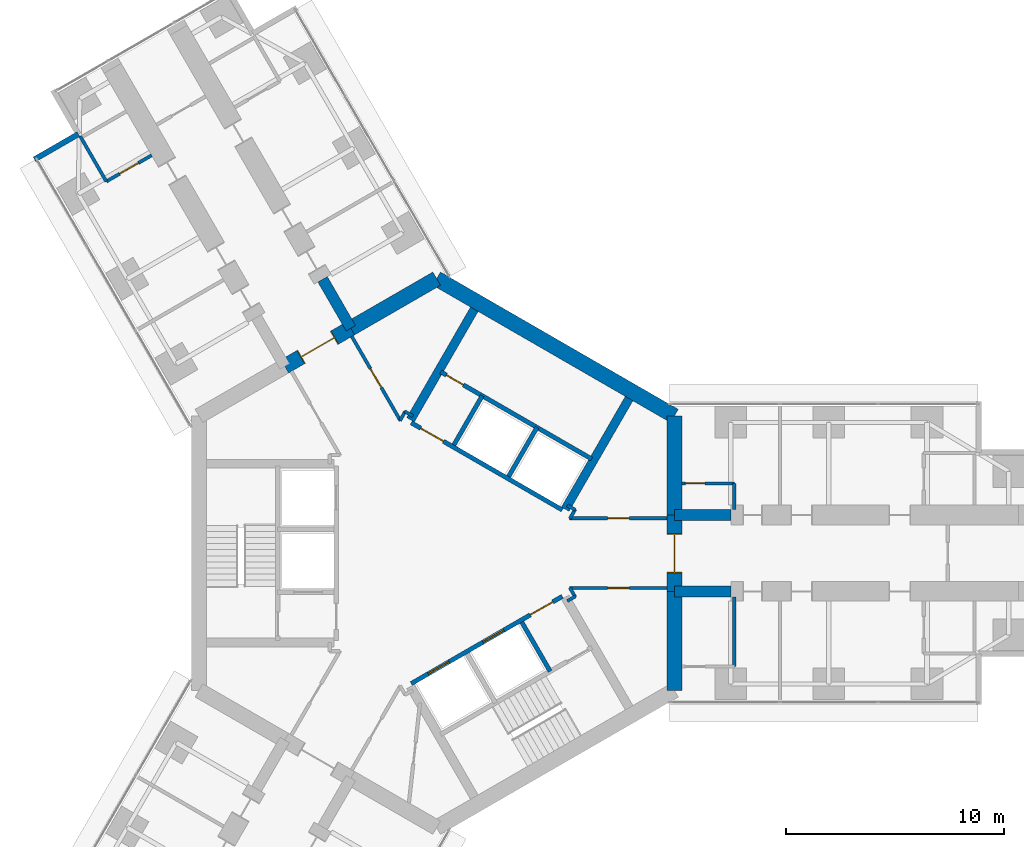
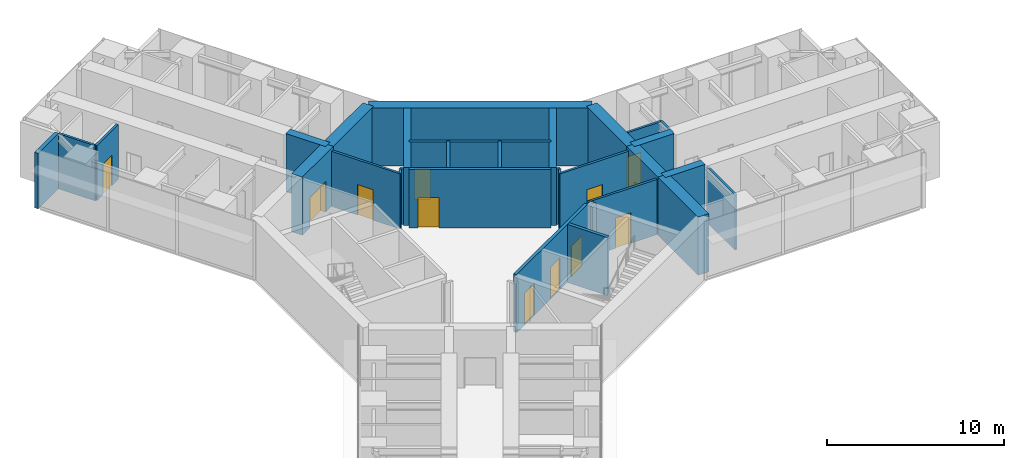
# One storey, part 18 of 24: 32 walls, 12 doors, 12 openings.
"""IFC4 building model written with IfcOpenShell, lengths in metres."""

from ifc_helpers import new_model, si_unit, direction, frame, frame_2d, origin, place, context, subcontext, project, spatial, rectangle, extrude, material, layer, layer_set, type_object, element, fill, save


model = new_model("IFC4")

# Units and contexts
model_context = context("Model", 3, precision=1e-05, world=origin(), true_north=direction((0.0, 1.0)))
body_context = subcontext(model_context, "Body", "Model", "MODEL_VIEW")
ifc_project = project(units=[si_unit("LENGTHUNIT", "METRE"), si_unit("AREAUNIT", "SQUARE_METRE"), si_unit("VOLUMEUNIT", "CUBIC_METRE"), si_unit("PLANEANGLEUNIT", "RADIAN"), si_unit("MASSUNIT", "GRAM", prefix="KILO")], contexts=[model_context])

# Site, building, storey
site_placement = place(None, origin())
site = spatial("IfcSite", under=ifc_project, at=site_placement, CompositionType="ELEMENT")
building_placement = place(site_placement, origin())
building = spatial("IfcBuilding", under=site, at=building_placement, Name="Upepo Twin Towers", CompositionType="ELEMENT")
storey_placement = place(building_placement, frame((0.0, 0.0, 48.5)))
storey = spatial("IfcBuildingStorey", under=building, at=storey_placement, Name="L11", CompositionType="ELEMENT", Elevation=48.5)

# Walls
ifc_material_1 = material(Name="Concrete C60/75", Category="concrete")
ifc_layer_1 = layer(ifc_material_1, 0.5)
ifc_layer_set_1 = layer_set([ifc_layer_1], Name="Concrete C60/75")
wall_type_1 = type_object("IfcWallType", Name="Buttress wall 500 RC", PredefinedType="SHEAR", material=ifc_layer_set_1)
for number, where, z_axis, x_axis, name in (
    (1, (10.908447265625, 1.75, 0.0), (0.0, 0.0, 1.0), (1.0, 0.0, 0.0), "T1 wing A buttress wall L"),
    (2, (10.908447265625, -1.75, 0.0), (0.0, 0.0, 1.0), (1.0, 0.0, 0.0), "T1 wing A buttress wall R"),
):
    element("IfcWall", number, at=place(storey_placement, frame(where, z_axis=z_axis, x_axis=x_axis)), inside=storey, type_object=wall_type_1, Name=name, PredefinedType="SHEAR", context=body_context, shape_type="SweptSolid", body=[
        extrude(rectangle(XDim=2.591552734375, YDim=0.5, at=frame_2d((1.2958984375, 0.0))), origin(), (0.0, 0.0, 1.0), 4.0),
    ])
wall_1_placement = place(storey_placement, frame((-3.938720703125, 10.32177734375, 0.0), z_axis=(0.0, 0.0, 1.0), x_axis=(-0.499918158782, 0.866072649678, 0.0)))
element("IfcWall", 3, at=wall_1_placement, inside=storey, type_object=wall_type_1, Name="T1 wing B buttress wall R", PredefinedType="SHEAR", context=body_context, shape_type="SweptSolid", body=[
    extrude(rectangle(XDim=2.591796875, YDim=0.5, at=frame_2d((1.2958984375, 0.0))), origin(), (0.0, 0.0, 1.0), 4.0),
])
ifc_material_2 = material(Name="Concrete C60/75", Category="concrete")
ifc_layer_2 = layer(ifc_material_2, 0.699951171875)
ifc_layer_set_2 = layer_set([ifc_layer_2], Name="Concrete C60/75")
wall_type_2 = type_object("IfcWallType", Name="Core wall 700 RC", PredefinedType="SHEAR", material=ifc_layer_set_2)
wall_2_placement = place(storey_placement, frame((10.908447265625, -6.2978515625, 0.0), z_axis=(0.0, 0.0, 1.0), x_axis=(0.0, 1.0, 0.0)))
element("IfcWall", 4, at=wall_2_placement, inside=storey, type_object=wall_type_2, Name="T1 core wall 000 R", PredefinedType="SHEAR", context=body_context, shape_type="SweptSolid", body=[
    extrude(rectangle(XDim=4.5478515625, YDim=0.699951171875, at=frame_2d((2.27392578125, 0.0))), origin(), (0.0, 0.0, 1.0), 4.0),
])

# Wall, opening, door
wall_3_placement = place(storey_placement, frame((10.908447265625, -1.75, 0.0), z_axis=(0.0, 0.0, 1.0), x_axis=(0.0, 1.0, 0.0)))
wall_3 = element("IfcWall", 5, at=wall_3_placement, inside=storey, type_object=wall_type_2, Name="T1 core wall 000", PredefinedType="SHEAR", context=body_context, shape_type="SweptSolid", body=[
    extrude(rectangle(XDim=3.5, YDim=0.699951171875, at=frame_2d((1.75, 0.0))), origin(), (0.0, 0.0, 1.0), 4.0),
])
opening_1_placement = place(wall_3_placement, frame((0.85009765625, 0.0, 0.0)))
opening_1 = element("IfcOpeningElement", 6, at=opening_1_placement, cuts=wall_3, Name="Opening D2", PredefinedType="OPENING", context=body_context, shape_type="SweptSolid", body=[
    extrude(rectangle(XDim=1.800048828125, YDim=2.10009765625, at=frame_2d((0.89990234375, 1.050048828125))), frame((0.0, 0.35986328125, 0.0), z_axis=(0.0, -1.0, 0.0), x_axis=(1.0, 0.0, 0.0)), (0.0, 0.0, 1.0), 0.719970703125),
])
ifc_material_3 = material(Name="Timber doorset", Category="wood")
door_type_1 = type_object("IfcDoorType", Name="Corridor double door 1800 FD60", OperationType="DOUBLE_DOOR_DOUBLE_SWING", PredefinedType="DOOR", material=ifc_material_3)
door_1_placement = place(opening_1_placement, origin())
door_1 = element("IfcDoor", 7, at=door_1_placement, inside=storey, type_object=door_type_1, Name="T1 L11 wing A corridor door", OperationType="DOUBLE_DOOR_DOUBLE_SWING", OverallHeight=2.10009765625, OverallWidth=1.800048828125, PredefinedType="DOOR", context=body_context, shape_type="SweptSolid", body=[
    extrude(rectangle(XDim=1.720048828125, YDim=2.06009765625, at=frame_2d((0.89990234375, 1.030029296875))), frame((0.0, 0.02490234375, 0.0), z_axis=(0.0, -1.0, 0.0), x_axis=(1.0, 0.0, 0.0)), (0.0, 0.0, 1.0), 0.050048828125),
    extrude(rectangle(XDim=0.04, YDim=2.10009765625, at=frame_2d((0.02001953125, 1.050048828125))), frame((0.0, 0.349609375, 0.0), z_axis=(0.0, -1.0, 0.0), x_axis=(1.0, 0.0, 0.0)), (0.0, 0.0, 1.0), 0.699462890625),
    extrude(rectangle(XDim=0.04, YDim=2.10009765625, at=frame_2d((1.780029296875, 1.050048828125))), frame((0.0, 0.349609375, 0.0), z_axis=(0.0, -1.0, 0.0), x_axis=(1.0, 0.0, 0.0)), (0.0, 0.0, 1.0), 0.699462890625),
    extrude(rectangle(XDim=1.720048828125, YDim=0.04, at=frame_2d((0.89990234375, 2.080078125))), frame((0.0, 0.349609375, 0.0), z_axis=(0.0, -1.0, 0.0), x_axis=(1.0, 0.0, 0.0)), (0.0, 0.0, 1.0), 0.699462890625),
])
fill(opening_1, door_1)

# Walls
wall_4_placement = place(storey_placement, frame((10.908447265625, 1.75, 0.0), z_axis=(0.0, 0.0, 1.0), x_axis=(0.0, 1.0, 0.0)))
element("IfcWall", 8, at=wall_4_placement, inside=storey, type_object=wall_type_2, Name="T1 core wall 000 L", PredefinedType="SHEAR", context=body_context, shape_type="SweptSolid", body=[
    extrude(rectangle(XDim=4.5478515625, YDim=0.699951171875, at=frame_2d((2.27392578125, 0.0))), origin(), (0.0, 0.0, 1.0), 4.0),
])
wall_5_placement = place(storey_placement, frame((10.908447265625, 6.2978515625, 0.0), z_axis=(0.0, 0.0, 1.0), x_axis=(-0.866021940709, 0.500005998175, 0.0)))
element("IfcWall", 9, at=wall_5_placement, inside=storey, type_object=wall_type_2, Name="T1 core wall 060", PredefinedType="SHEAR", context=body_context, shape_type="SweptSolid", body=[
    extrude(rectangle(XDim=12.595947265625, YDim=0.699951171875, at=frame_2d((6.2978515625, 0.0))), origin(), (0.0, 0.0, 1.0), 4.0),
])
wall_6_placement = place(storey_placement, frame((0.0, 12.595947265625, 0.0), z_axis=(0.0, 0.0, 1.0), x_axis=(-0.866011268655, -0.500024481964, 0.0)))
element("IfcWall", 10, at=wall_6_placement, inside=storey, type_object=wall_type_2, Name="T1 core wall 120 R", PredefinedType="SHEAR", context=body_context, shape_type="SweptSolid", body=[
    extrude(rectangle(XDim=4.548095703125, YDim=0.699951171875, at=frame_2d((2.27392578125, 0.0))), origin(), (0.0, 0.0, 1.0), 4.0),
])

# Wall, opening, door
wall_7_placement = place(storey_placement, frame((-3.938720703125, 10.32177734375, 0.0), z_axis=(0.0, 0.0, 1.0), x_axis=(-0.866019471182, -0.500010275428, 0.0)))
wall_7 = element("IfcWall", 11, at=wall_7_placement, inside=storey, type_object=wall_type_2, Name="T1 core wall 120", PredefinedType="SHEAR", context=body_context, shape_type="SweptSolid", body=[
    extrude(rectangle(XDim=3.5, YDim=0.699951171875, at=frame_2d((1.75, 0.0))), origin(), (0.0, 0.0, 1.0), 4.0),
])
opening_2_placement = place(wall_7_placement, frame((0.85009765625, 0.0, 0.0)))
opening_2 = element("IfcOpeningElement", 12, at=opening_2_placement, cuts=wall_7, Name="Opening D2", PredefinedType="OPENING", context=body_context, shape_type="SweptSolid", body=[
    extrude(rectangle(XDim=1.800048828125, YDim=2.10009765625, at=frame_2d((0.89990234375, 1.050048828125))), frame((0.0, 0.35986328125, 0.0), z_axis=(0.0, -1.0, 0.0), x_axis=(1.0, 0.0, 0.0)), (0.0, 0.0, 1.0), 0.719970703125),
])
door_2_placement = place(opening_2_placement, origin())
door_2 = element("IfcDoor", 13, at=door_2_placement, inside=storey, type_object=door_type_1, Name="T1 L11 wing B corridor door", OperationType="DOUBLE_DOOR_DOUBLE_SWING", OverallHeight=2.10009765625, OverallWidth=1.800048828125, PredefinedType="DOOR", context=body_context, shape_type="SweptSolid", body=[
    extrude(rectangle(XDim=1.720048828125, YDim=2.06009765625, at=frame_2d((0.89990234375, 1.030029296875))), frame((0.0, 0.02490234375, 0.0), z_axis=(0.0, -1.0, 0.0), x_axis=(1.0, 0.0, 0.0)), (0.0, 0.0, 1.0), 0.050048828125),
    extrude(rectangle(XDim=0.04, YDim=2.10009765625, at=frame_2d((0.02001953125, 1.050048828125))), frame((0.0, 0.349609375, 0.0), z_axis=(0.0, -1.0, 0.0), x_axis=(1.0, 0.0, 0.0)), (0.0, 0.0, 1.0), 0.699462890625),
    extrude(rectangle(XDim=0.04, YDim=2.10009765625, at=frame_2d((1.780029296875, 1.050048828125))), frame((0.0, 0.349609375, 0.0), z_axis=(0.0, -1.0, 0.0), x_axis=(1.0, 0.0, 0.0)), (0.0, 0.0, 1.0), 0.699462890625),
    extrude(rectangle(XDim=1.720048828125, YDim=0.04, at=frame_2d((0.89990234375, 2.080078125))), frame((0.0, 0.349609375, 0.0), z_axis=(0.0, -1.0, 0.0), x_axis=(1.0, 0.0, 0.0)), (0.0, 0.0, 1.0), 0.699462890625),
])
fill(opening_2, door_2)

# Wall
ifc_material_4 = material(Name="Blockwork with anodised aluminium cladding", Category="masonry")
ifc_layer_3 = layer(ifc_material_4, 0.25)
ifc_layer_set_3 = layer_set([ifc_layer_3], Name="Notch cladding wall 250, pale metal")
wall_type_3 = type_object("IfcWallType", Name="Notch cladding wall 250, pale metal", PredefinedType="STANDARD", material=ifc_layer_set_3)
wall_8_placement = place(storey_placement, frame((-18.456298828125, 18.0673828125, 0.0), z_axis=(0.0, 0.0, 1.0), x_axis=(0.865998469481, 0.500046648681, 0.0)))
element("IfcWall", 14, at=wall_8_placement, inside=storey, type_object=wall_type_3, Name="T1 L11 wing B notch wall L1", PredefinedType="STANDARD", context=body_context, shape_type="SweptSolid", body=[
    extrude(rectangle(XDim=2.324951171875, YDim=0.25, at=frame_2d((1.16259765625, 0.0))), origin(), (0.0, 0.0, 1.0), 3.800048828125),
])

# Wall, opening, door
ifc_material_5 = material(Name="Concrete C40/50", Category="concrete")
ifc_layer_4 = layer(ifc_material_5, 0.199951171875)
ifc_layer_set_4 = layer_set([ifc_layer_4], Name="Concrete C40/50")
wall_type_4 = type_object("IfcWallType", Name="Shaft wall 200 RC", PredefinedType="SHEAR", material=ifc_layer_set_4)
wall_9_placement = place(storey_placement, frame((5.76416015625, 1.983642578125, 0.0), z_axis=(0.0, 0.0, 1.0), x_axis=(-0.866026010844, 0.49999894854, 0.0)))
wall_9 = element("IfcWall", 15, at=wall_9_placement, inside=storey, type_object=wall_type_4, Name="T1 core W60 front wall", PredefinedType="SHEAR", context=body_context, shape_type="SweptSolid", body=[
    extrude(rectangle(XDim=8.0, YDim=0.199951171875, at=frame_2d((4.0, 0.0))), origin(), (0.0, 0.0, 1.0), 4.0),
])
opening_3_placement = place(wall_9_placement, frame((6.300048828125, 0.0, 0.0)))
opening_3 = element("IfcOpeningElement", 16, at=opening_3_placement, cuts=wall_9, Name="Opening D4", PredefinedType="OPENING", context=body_context, shape_type="SweptSolid", body=[
    extrude(rectangle(XDim=1.199951171875, YDim=2.10009765625, at=frame_2d((0.60009765625, 1.050048828125))), frame((0.0, 0.10986328125, 0.0), z_axis=(0.0, -1.0, 0.0), x_axis=(1.0, 0.0, 0.0)), (0.0, 0.0, 1.0), 0.219970703125),
])
ifc_material_6 = material(Name="Timber doorset", Category="wood")
door_type_2 = type_object("IfcDoorType", Name="Lobby door 1200 FD60", OperationType="SINGLE_SWING_LEFT", PredefinedType="DOOR", material=ifc_material_6)
door_3_placement = place(opening_3_placement, origin())
door_3 = element("IfcDoor", 17, at=door_3_placement, inside=storey, type_object=door_type_2, Name="T1 L11 W60 lobby door", OperationType="SINGLE_SWING_RIGHT", OverallHeight=2.10009765625, OverallWidth=1.199951171875, PredefinedType="DOOR", context=body_context, shape_type="SweptSolid", body=[
    extrude(rectangle(XDim=1.199951171875, YDim=2.10009765625, at=frame_2d((0.60009765625, 1.050048828125))), frame((0.0, 0.02490234375, 0.0), z_axis=(0.0, -1.0, 0.0), x_axis=(1.0, 0.0, 0.0)), (0.0, 0.0, 1.0), 0.050048828125),
])
fill(opening_3, door_3)

# Walls
for number, where, z_axis, x_axis, name in (
    (18, (3.302734375, 3.520263671875, 0.0), (0.0, 0.0, 1.0), (0.499936506574, 0.866062058628, 0.0), "T1 core W60 shaft divider"),
    (19, (0.791259765625, 4.97021484375, 0.0), (0.0, 0.0, 1.0), (0.499936506574, 0.866062058628, 0.0), "T1 core W60 lobby wall"),
):
    element("IfcWall", number, at=place(storey_placement, frame(where, z_axis=z_axis, x_axis=x_axis)), inside=storey, type_object=wall_type_4, Name=name, PredefinedType="SHEAR", context=body_context, shape_type="SweptSolid", body=[
        extrude(rectangle(XDim=2.599853515625, YDim=0.199951171875, at=frame_2d((1.2998046875, 0.0))), origin(), (0.0, 0.0, 1.0), 4.0),
    ])

# Wall, opening, door
wall_10_placement = place(storey_placement, frame((7.114013671875, 4.322021484375, 0.0), z_axis=(0.0, 0.0, 1.0), x_axis=(-0.866026010844, 0.49999894854, 0.0)))
wall_10 = element("IfcWall", 20, at=wall_10_placement, inside=storey, type_object=wall_type_4, Name="T1 core W60 stair wall", PredefinedType="SHEAR", context=body_context, shape_type="SweptSolid", body=[
    extrude(rectangle(XDim=8.0, YDim=0.199951171875, at=frame_2d((4.0, 0.0))), origin(), (0.0, 0.0, 1.0), 4.0),
])
opening_4_placement = place(wall_10_placement, frame((6.800048828125, 0.0, 0.0)))
opening_4 = element("IfcOpeningElement", 21, at=opening_4_placement, cuts=wall_10, Name="Opening D9", PredefinedType="OPENING", context=body_context, shape_type="SweptSolid", body=[
    extrude(rectangle(XDim=0.89990234375, YDim=2.10009765625, at=frame_2d((0.449951171875, 1.050048828125))), frame((0.0, 0.10986328125, 0.0), z_axis=(0.0, -1.0, 0.0), x_axis=(1.0, 0.0, 0.0)), (0.0, 0.0, 1.0), 0.219970703125),
])
ifc_material_7 = material(Name="Timber doorset", Category="wood")
door_type_3 = type_object("IfcDoorType", Name="Riser door 900 FD60", OperationType="SINGLE_SWING_LEFT", PredefinedType="DOOR", material=ifc_material_7)
door_4_placement = place(opening_4_placement, origin())
door_4 = element("IfcDoor", 22, at=door_4_placement, inside=storey, type_object=door_type_3, Name="T1 L11 riser door", OperationType="SINGLE_SWING_RIGHT", OverallHeight=2.10009765625, OverallWidth=0.89990234375, PredefinedType="DOOR", context=body_context, shape_type="SweptSolid", body=[
    extrude(rectangle(XDim=0.89990234375, YDim=2.10009765625, at=frame_2d((0.449951171875, 1.050048828125))), frame((0.0, 0.02490234375, 0.0), z_axis=(0.0, -1.0, 0.0), x_axis=(1.0, 0.0, 0.0)), (0.0, 0.0, 1.0), 0.050048828125),
])
fill(opening_4, door_4)

# Wall, openings, doors
wall_11_placement = place(storey_placement, frame((-1.1640625, -5.983642578125, 0.0), z_axis=(0.0, 0.0, 1.0), x_axis=(0.866026010844, 0.49999894854, 0.0)))
wall_11 = element("IfcWall", 23, at=wall_11_placement, inside=storey, type_object=wall_type_4, Name="T1 core W300 front wall", PredefinedType="SHEAR", context=body_context, shape_type="SweptSolid", body=[
    extrude(rectangle(XDim=8.0, YDim=0.199951171875, at=frame_2d((4.0, 0.0))), origin(), (0.0, 0.0, 1.0), 4.0),
])
opening_5_placement = place(wall_11_placement, frame((6.300048828125, 0.0, 0.0)))
opening_5 = element("IfcOpeningElement", 24, at=opening_5_placement, cuts=wall_11, Name="Opening D4", PredefinedType="OPENING", context=body_context, shape_type="SweptSolid", body=[
    extrude(rectangle(XDim=1.199951171875, YDim=2.10009765625, at=frame_2d((0.60009765625, 1.050048828125))), frame((0.0, 0.10986328125, 0.0), z_axis=(0.0, -1.0, 0.0), x_axis=(1.0, 0.0, 0.0)), (0.0, 0.0, 1.0), 0.219970703125),
])
opening_6_placement = place(wall_11_placement, frame((0.89990234375, 0.0, 0.0)))
opening_6 = element("IfcOpeningElement", 25, at=opening_6_placement, cuts=wall_11, Name="Opening LD1", PredefinedType="OPENING", context=body_context, shape_type="SweptSolid", body=[
    extrude(rectangle(XDim=1.10009765625, YDim=2.199951171875, at=frame_2d((0.550048828125, 1.10009765625))), frame((0.0, 0.10986328125, 0.0), z_axis=(0.0, -1.0, 0.0), x_axis=(1.0, 0.0, 0.0)), (0.0, 0.0, 1.0), 0.219970703125),
])
opening_7_placement = place(wall_11_placement, frame((3.800048828125, 0.0, 0.0)))
opening_7 = element("IfcOpeningElement", 26, at=opening_7_placement, cuts=wall_11, Name="Opening LD1", PredefinedType="OPENING", context=body_context, shape_type="SweptSolid", body=[
    extrude(rectangle(XDim=1.10009765625, YDim=2.199951171875, at=frame_2d((0.550048828125, 1.10009765625))), frame((0.0, 0.10986328125, 0.0), z_axis=(0.0, -1.0, 0.0), x_axis=(1.0, 0.0, 0.0)), (0.0, 0.0, 1.0), 0.219970703125),
])
ifc_material_8 = material(Name="Steel doorset", Category="steel")
door_type_4 = type_object("IfcDoorType", Name="Lift landing door 1100", OperationType="DOUBLE_DOOR_SLIDING", PredefinedType="DOOR", material=ifc_material_8)
door_5_placement = place(opening_6_placement, origin())
door_5 = element("IfcDoor", 27, at=door_5_placement, inside=storey, type_object=door_type_4, Name="T1 L11 lift LL1 landing door", OperationType="DOUBLE_DOOR_SLIDING", OverallHeight=2.199951171875, OverallWidth=1.10009765625, PredefinedType="DOOR", context=body_context, shape_type="SweptSolid", body=[
    extrude(rectangle(XDim=1.10009765625, YDim=2.199951171875, at=frame_2d((0.550048828125, 1.10009765625))), frame((0.0, 0.02490234375, 0.0), z_axis=(0.0, -1.0, 0.0), x_axis=(1.0, 0.0, 0.0)), (0.0, 0.0, 1.0), 0.050048828125),
])
fill(opening_6, door_5)
door_6_placement = place(opening_7_placement, origin())
door_6 = element("IfcDoor", 28, at=door_6_placement, inside=storey, type_object=door_type_4, Name="T1 L11 lift LL2 landing door", OperationType="DOUBLE_DOOR_SLIDING", OverallHeight=2.199951171875, OverallWidth=1.10009765625, PredefinedType="DOOR", context=body_context, shape_type="SweptSolid", body=[
    extrude(rectangle(XDim=1.10009765625, YDim=2.199951171875, at=frame_2d((0.550048828125, 1.10009765625))), frame((0.0, 0.02490234375, 0.0), z_axis=(0.0, -1.0, 0.0), x_axis=(1.0, 0.0, 0.0)), (0.0, 0.0, 1.0), 0.050048828125),
])
fill(opening_7, door_6)
door_7_placement = place(opening_5_placement, origin())
door_7 = element("IfcDoor", 29, at=door_7_placement, inside=storey, type_object=door_type_2, Name="T1 L11 W300 lobby door", OperationType="SINGLE_SWING_RIGHT", OverallHeight=2.10009765625, OverallWidth=1.199951171875, PredefinedType="DOOR", context=body_context, shape_type="SweptSolid", body=[
    extrude(rectangle(XDim=1.199951171875, YDim=2.10009765625, at=frame_2d((0.60009765625, 1.050048828125))), frame((0.0, 0.02490234375, 0.0), z_axis=(0.0, -1.0, 0.0), x_axis=(1.0, 0.0, 0.0)), (0.0, 0.0, 1.0), 0.050048828125),
])
fill(opening_5, door_7)

# Walls
wall_12_placement = place(storey_placement, frame((3.908935546875, -3.17041015625, 0.0), z_axis=(0.0, 0.0, 1.0), x_axis=(0.49997716683, -0.86603858612, 0.0)))
element("IfcWall", 30, at=wall_12_placement, inside=storey, type_object=wall_type_4, Name="T1 core W300 lobby wall", PredefinedType="SHEAR", context=body_context, shape_type="SweptSolid", body=[
    extrude(rectangle(XDim=2.599609375, YDim=0.199951171875, at=frame_2d((1.2998046875, 0.0))), origin(), (0.0, 0.0, 1.0), 4.0),
])
ifc_material_9 = material(Name="Concrete C40/50", Category="concrete")
ifc_layer_5 = layer(ifc_material_9, 0.39990234375)
ifc_layer_set_5 = layer_set([ifc_layer_5], Name="Concrete C40/50")
wall_type_5 = type_object("IfcWallType", Name="Shaft wall 400 RC", PredefinedType="SHEAR", material=ifc_layer_set_5)
for number, where, z_axis, x_axis, name in (
    (31, (-1.20068359375, 6.120361328125, 0.0), (0.0, 0.0, 1.0), (0.500002627198, 0.866023886965, 0.0), "T1 core W60 side wall N"),
    (32, (5.900634765625, 2.020263671875, 0.0), (0.0, 0.0, 1.0), (0.500002627198, 0.866023886965, 0.0), "T1 core W60 side wall S"),
):
    element("IfcWall", number, at=place(storey_placement, frame(where, z_axis=z_axis, x_axis=x_axis)), inside=storey, type_object=wall_type_5, Name=name, PredefinedType="SHEAR", context=body_context, shape_type="SweptSolid", body=[
        extrude(rectangle(XDim=5.8583984375, YDim=0.39990234375, at=frame_2d((2.92919921875, 0.0))), origin(), (0.0, 0.0, 1.0), 4.0),
    ])

# Wall, opening, door
ifc_material_10 = material(Name="Gypsum board on steel studs", Category="steel")
ifc_layer_6 = layer(ifc_material_10, 0.14990234375)
ifc_layer_set_6 = layer_set([ifc_layer_6], Name="Teaching partition 150 acoustic")
wall_type_6 = type_object("IfcWallType", Name="Teaching partition 150 acoustic", PredefinedType="PARTITIONING", material=ifc_layer_set_6)
wall_13_placement = place(storey_placement, frame((11.258056640625, 3.199951171875, 0.0), z_axis=(0.0, 0.0, 1.0), x_axis=(1.0, 0.0, 0.0)))
wall_13 = element("IfcWall", 33, at=wall_13_placement, inside=storey, type_object=wall_type_6, Name="T1 WC bay partition AL at 11.26", PredefinedType="PARTITIONING", context=body_context, shape_type="SweptSolid", body=[
    extrude(rectangle(XDim=2.39990234375, YDim=0.14990234375, at=frame_2d((1.199951171875, 0.0))), origin(), (0.0, 0.0, 1.0), 3.800048828125),
])
opening_8_placement = place(wall_13_placement, frame((0.14990234375, 0.0, 0.0)))
opening_8 = element("IfcOpeningElement", 34, at=opening_8_placement, cuts=wall_13, Name="Opening D14", PredefinedType="OPENING", context=body_context, shape_type="SweptSolid", body=[
    extrude(rectangle(XDim=0.89990234375, YDim=2.10009765625, at=frame_2d((0.449951171875, 1.050048828125))), frame((0.0, 0.0849609375, 0.0), z_axis=(0.0, -1.0, 0.0), x_axis=(1.0, 0.0, 0.0)), (0.0, 0.0, 1.0), 0.169921875),
])
ifc_material_11 = material(Name="Timber doorset", Category="wood")
door_type_5 = type_object("IfcDoorType", Name="Office door 900 FD30", OperationType="SINGLE_SWING_LEFT", PredefinedType="DOOR", material=ifc_material_11)
door_8_placement = place(opening_8_placement, origin())
door_8 = element("IfcDoor", 35, at=door_8_placement, inside=storey, type_object=door_type_5, Name="T1 L11 WC bay inner room door", OperationType="SINGLE_SWING_LEFT", OverallHeight=2.10009765625, OverallWidth=0.89990234375, PredefinedType="DOOR", context=body_context, shape_type="SweptSolid", body=[
    extrude(rectangle(XDim=0.89990234375, YDim=2.10009765625, at=frame_2d((0.449951171875, 1.050048828125))), frame((0.0, 0.02490234375, 0.0), z_axis=(0.0, -1.0, 0.0), x_axis=(1.0, 0.0, 0.0)), (0.0, 0.0, 1.0), 0.050048828125),
])
fill(opening_8, door_8)

# Walls
wall_14_placement = place(storey_placement, frame((13.657958984375, 2.0, 0.0), z_axis=(0.0, 0.0, 1.0), x_axis=(0.0, 1.0, 0.0)))
element("IfcWall", 36, at=wall_14_placement, inside=storey, type_object=wall_type_6, Name="T1 WC bay partition AL end at 13.66", PredefinedType="PARTITIONING", context=body_context, shape_type="SweptSolid", body=[
    extrude(rectangle(XDim=1.199951171875, YDim=0.14990234375, at=frame_2d((0.60009765625, 0.0))), origin(), (0.0, 0.0, 1.0), 3.800048828125),
])
wall_15_placement = place(storey_placement, frame((13.657958984375, -2.0, 0.0), z_axis=(0.0, 0.0, 1.0), x_axis=(0.0, -1.0, 0.0)))
element("IfcWall", 37, at=wall_15_placement, inside=storey, type_object=wall_type_6, Name="T1 WC bay partition AR end at 13.66", PredefinedType="PARTITIONING", context=body_context, shape_type="SweptSolid", body=[
    extrude(rectangle(XDim=3.199951171875, YDim=0.14990234375, at=frame_2d((1.60009765625, 0.0))), origin(), (0.0, 0.0, 1.0), 3.800048828125),
])
wall_16_placement = place(storey_placement, frame((-15.15869140625, 17.0556640625, 0.0), z_axis=(0.0, 0.0, 1.0), x_axis=(-0.500001309137, 0.866024647952, 0.0)))
element("IfcWall", 38, at=wall_16_placement, inside=storey, type_object=wall_type_6, Name="T1 inner room partition BL at 22.35", PredefinedType="PARTITIONING", context=body_context, shape_type="SweptSolid", body=[
    extrude(rectangle(XDim=2.39990234375, YDim=0.14990234375, at=frame_2d((1.199951171875, 0.0))), origin(), (0.0, 0.0, 1.0), 3.800048828125),
])

# Wall, opening, door
wall_17_placement = place(storey_placement, frame((-13.080322265625, 18.255615234375, 0.0), z_axis=(0.0, 0.0, 1.0), x_axis=(-0.866024647952, -0.500001309137, 0.0)))
wall_17 = element("IfcWall", 39, at=wall_17_placement, inside=storey, type_object=wall_type_6, Name="T1 inner room partition BL end at 22.35", PredefinedType="PARTITIONING", context=body_context, shape_type="SweptSolid", body=[
    extrude(rectangle(XDim=2.39990234375, YDim=0.14990234375, at=frame_2d((1.199951171875, 0.0))), origin(), (0.0, 0.0, 1.0), 3.800048828125),
])
opening_9_placement = place(wall_17_placement, frame((0.699951171875, 0.0, 0.0)))
opening_9 = element("IfcOpeningElement", 40, at=opening_9_placement, cuts=wall_17, Name="Opening D1", PredefinedType="OPENING", context=body_context, shape_type="SweptSolid", body=[
    extrude(rectangle(XDim=1.0, YDim=2.10009765625, at=frame_2d((0.5, 1.050048828125))), frame((0.0, 0.0849609375, 0.0), z_axis=(0.0, -1.0, 0.0), x_axis=(1.0, 0.0, 0.0)), (0.0, 0.0, 1.0), 0.169921875),
])
ifc_material_12 = material(Name="Timber doorset", Category="wood")
door_type_6 = type_object("IfcDoorType", Name="Room door 1000 FD30", OperationType="SINGLE_SWING_LEFT", PredefinedType="DOOR", material=ifc_material_12)
door_9_placement = place(opening_9_placement, origin())
door_9 = element("IfcDoor", 41, at=door_9_placement, inside=storey, type_object=door_type_6, Name="T1 L11 inner room door", OperationType="SINGLE_SWING_LEFT", OverallHeight=2.10009765625, OverallWidth=1.0, PredefinedType="DOOR", context=body_context, shape_type="SweptSolid", body=[
    extrude(rectangle(XDim=1.0, YDim=2.10009765625, at=frame_2d((0.5, 1.050048828125))), frame((0.0, 0.02490234375, 0.0), z_axis=(0.0, -1.0, 0.0), x_axis=(1.0, 0.0, 0.0)), (0.0, 0.0, 1.0), 0.050048828125),
])
fill(opening_9, door_9)

# Wall
wall_18_placement = place(storey_placement, frame((6.364501953125, -1.9833984375, 0.0), z_axis=(0.0, 0.0, 1.0), x_axis=(-0.865892400268, -0.500230298122, 0.0)))
element("IfcWall", 42, at=wall_18_placement, inside=storey, type_object=wall_type_6, Name="T1 core room partition 1", PredefinedType="PARTITIONING", context=body_context, shape_type="SweptSolid", body=[
    extrude(rectangle(XDim=0.429931640625, YDim=0.14990234375, at=frame_2d((0.21484375, 0.0))), origin(), (0.0, 0.0, 1.0), 3.800048828125),
])

# Wall, opening, door
wall_19_placement = place(storey_placement, frame((-3.8984375, 9.952392578125, 0.0), z_axis=(0.0, 0.0, 1.0), x_axis=(0.499999927604, -0.866025445582, 0.0)))
wall_19 = element("IfcWall", 43, at=wall_19_placement, inside=storey, type_object=wall_type_6, Name="T1 core room partition 11", PredefinedType="PARTITIONING", context=body_context, shape_type="SweptSolid", body=[
    extrude(rectangle(XDim=4.46826171875, YDim=0.14990234375, at=frame_2d((2.234130859375, 0.0))), origin(), (0.0, 0.0, 1.0), 3.800048828125),
])
opening_10_placement = place(wall_19_placement, frame((1.72412109375, 0.0, 0.0)))
opening_10 = element("IfcOpeningElement", 44, at=opening_10_placement, cuts=wall_19, Name="Opening D1", PredefinedType="OPENING", context=body_context, shape_type="SweptSolid", body=[
    extrude(rectangle(XDim=1.0, YDim=2.10009765625, at=frame_2d((0.5, 1.050048828125))), frame((0.0, 0.0849609375, 0.0), z_axis=(0.0, -1.0, 0.0), x_axis=(1.0, 0.0, 0.0)), (0.0, 0.0, 1.0), 0.169921875),
])
door_10_placement = place(opening_10_placement, origin())
door_10 = element("IfcDoor", 45, at=door_10_placement, inside=storey, type_object=door_type_6, Name="T1 L11 core room door K6", OperationType="SINGLE_SWING_LEFT", OverallHeight=2.10009765625, OverallWidth=1.0, PredefinedType="DOOR", context=body_context, shape_type="SweptSolid", body=[
    extrude(rectangle(XDim=1.0, YDim=2.10009765625, at=frame_2d((0.5, 1.050048828125))), frame((0.0, 0.02490234375, 0.0), z_axis=(0.0, -1.0, 0.0), x_axis=(1.0, 0.0, 0.0)), (0.0, 0.0, 1.0), 0.050048828125),
])
fill(opening_10, door_10)

# Walls
wall_20_placement = place(storey_placement, frame((-1.684326171875, 6.082763671875, 0.0), z_axis=(0.0, 0.0, 1.0), x_axis=(0.50033519877, 0.865831790172, 0.0)))
element("IfcWall", 46, at=wall_20_placement, inside=storey, type_object=wall_type_6, Name="T1 core room partition 12", PredefinedType="PARTITIONING", context=body_context, shape_type="SweptSolid", body=[
    extrude(rectangle(XDim=0.494384765625, YDim=0.14990234375, at=frame_2d((0.2470703125, 0.0))), origin(), (0.0, 0.0, 1.0), 3.800048828125),
])
for number, where, z_axis, x_axis, name in (
    (47, (-1.46435546875, 6.50341796875, 0.0), (0.0, 0.0, 1.0), (0.866138304741, -0.499804398801, 0.0), "T1 core room partition 13"),
    (48, (5.9921875, 2.198486328125, 0.0), (0.0, 0.0, 1.0), (0.865892400268, -0.500230298122, 0.0), "T1 core room partition 14"),
):
    element("IfcWall", number, at=place(storey_placement, frame(where, z_axis=z_axis, x_axis=x_axis)), inside=storey, type_object=wall_type_6, Name=name, PredefinedType="PARTITIONING", context=body_context, shape_type="SweptSolid", body=[
        extrude(rectangle(XDim=0.429931640625, YDim=0.14990234375, at=frame_2d((0.21484375, 0.0))), origin(), (0.0, 0.0, 1.0), 3.800048828125),
    ])
wall_21_placement = place(storey_placement, frame((6.357177734375, 2.0107421875, 0.0), z_axis=(0.0, 0.0, 1.0), x_axis=(-0.50033519877, -0.865831790172, 0.0)))
element("IfcWall", 49, at=wall_21_placement, inside=storey, type_object=wall_type_6, Name="T1 core room partition 15", PredefinedType="PARTITIONING", context=body_context, shape_type="SweptSolid", body=[
    extrude(rectangle(XDim=0.494384765625, YDim=0.14990234375, at=frame_2d((0.2470703125, 0.0))), origin(), (0.0, 0.0, 1.0), 3.800048828125),
])

# Wall, opening, door
wall_22_placement = place(storey_placement, frame((6.099853515625, 1.60009765625, 0.0), z_axis=(0.0, 0.0, 1.0), x_axis=(1.0, 0.0, 0.0)))
wall_22 = element("IfcWall", 50, at=wall_22_placement, inside=storey, type_object=wall_type_6, Name="T1 core room partition 16", PredefinedType="PARTITIONING", context=body_context, shape_type="SweptSolid", body=[
    extrude(rectangle(XDim=4.468505859375, YDim=0.14990234375, at=frame_2d((2.234375, 0.0))), origin(), (0.0, 0.0, 1.0), 3.800048828125),
])
opening_11_placement = place(wall_22_placement, frame((1.744384765625, 0.0, 0.0)))
opening_11 = element("IfcOpeningElement", 51, at=opening_11_placement, cuts=wall_22, Name="Opening D1", PredefinedType="OPENING", context=body_context, shape_type="SweptSolid", body=[
    extrude(rectangle(XDim=1.0, YDim=2.10009765625, at=frame_2d((0.5, 1.050048828125))), frame((0.0, 0.0849609375, 0.0), z_axis=(0.0, -1.0, 0.0), x_axis=(1.0, 0.0, 0.0)), (0.0, 0.0, 1.0), 0.169921875),
])
door_11_placement = place(opening_11_placement, origin())
door_11 = element("IfcDoor", 52, at=door_11_placement, inside=storey, type_object=door_type_6, Name="T1 L11 core room door K5", OperationType="SINGLE_SWING_RIGHT", OverallHeight=2.10009765625, OverallWidth=1.0, PredefinedType="DOOR", context=body_context, shape_type="SweptSolid", body=[
    extrude(rectangle(XDim=1.0, YDim=2.10009765625, at=frame_2d((0.5, 1.050048828125))), frame((0.0, 0.02490234375, 0.0), z_axis=(0.0, -1.0, 0.0), x_axis=(1.0, 0.0, 0.0)), (0.0, 0.0, 1.0), 0.050048828125),
])
fill(opening_11, door_11)

wall_23_placement = place(storey_placement, frame((10.568359375, -1.60009765625, 0.0), z_axis=(0.0, 0.0, 1.0), x_axis=(-1.0, 0.0, 0.0)))
wall_23 = element("IfcWall", 53, at=wall_23_placement, inside=storey, type_object=wall_type_6, Name="T1 core room partition 17", PredefinedType="PARTITIONING", context=body_context, shape_type="SweptSolid", body=[
    extrude(rectangle(XDim=4.468505859375, YDim=0.14990234375, at=frame_2d((2.234375, 0.0))), origin(), (0.0, 0.0, 1.0), 3.800048828125),
])
opening_12_placement = place(wall_23_placement, frame((1.72412109375, 0.0, 0.0)))
opening_12 = element("IfcOpeningElement", 54, at=opening_12_placement, cuts=wall_23, Name="Opening D1", PredefinedType="OPENING", context=body_context, shape_type="SweptSolid", body=[
    extrude(rectangle(XDim=1.0, YDim=2.10009765625, at=frame_2d((0.5, 1.050048828125))), frame((0.0, 0.0849609375, 0.0), z_axis=(0.0, -1.0, 0.0), x_axis=(1.0, 0.0, 0.0)), (0.0, 0.0, 1.0), 0.169921875),
])
door_12_placement = place(opening_12_placement, origin())
door_12 = element("IfcDoor", 55, at=door_12_placement, inside=storey, type_object=door_type_6, Name="T1 L11 core room door K4", OperationType="SINGLE_SWING_LEFT", OverallHeight=2.10009765625, OverallWidth=1.0, PredefinedType="DOOR", context=body_context, shape_type="SweptSolid", body=[
    extrude(rectangle(XDim=1.0, YDim=2.10009765625, at=frame_2d((0.5, 1.050048828125))), frame((0.0, 0.02490234375, 0.0), z_axis=(0.0, -1.0, 0.0), x_axis=(1.0, 0.0, 0.0)), (0.0, 0.0, 1.0), 0.050048828125),
])
fill(opening_12, door_12)

# Wall
wall_24_placement = place(storey_placement, frame((6.10986328125, -1.582763671875, 0.0), z_axis=(0.0, 0.0, 1.0), x_axis=(0.50033519877, -0.865831790172, 0.0)))
element("IfcWall", 56, at=wall_24_placement, inside=storey, type_object=wall_type_6, Name="T1 core room partition 18", PredefinedType="PARTITIONING", context=body_context, shape_type="SweptSolid", body=[
    extrude(rectangle(XDim=0.494384765625, YDim=0.14990234375, at=frame_2d((0.2470703125, 0.0))), origin(), (0.0, 0.0, 1.0), 3.800048828125),
])

save(model, "model.ifc")
